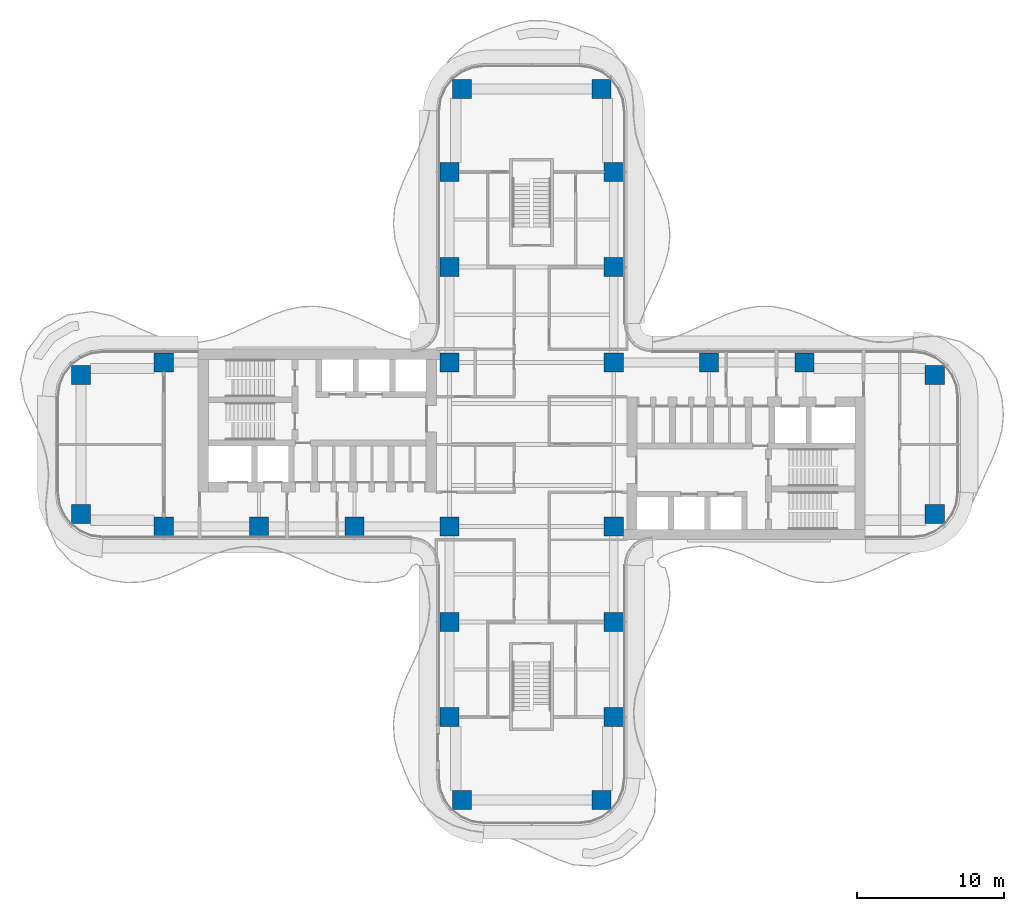
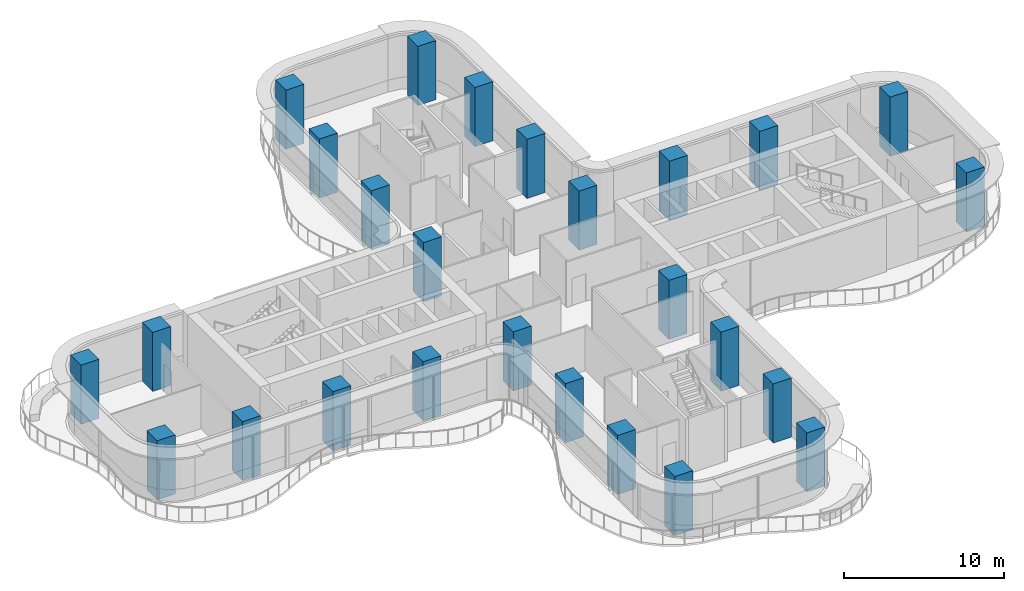
# One storey, part 1 of 21: 26 columns.
"""IFC4 building model written with IfcOpenShell, lengths in metres."""

from ifc_helpers import new_model, si_unit, direction, frame, origin, origin_2d, place, context, subcontext, project, spatial, rectangle, extrude, source, transform, mapped, material, material_profile, profile_set, type_object, element, save


model = new_model("IFC4")

# Units and contexts
model_context = context("Model", 3, precision=1e-05, world=origin(), true_north=direction((0.0, 1.0)))
body_context = subcontext(model_context, "Body", "Model", "MODEL_VIEW")
ifc_project = project(units=[si_unit("LENGTHUNIT", "METRE"), si_unit("AREAUNIT", "SQUARE_METRE"), si_unit("VOLUMEUNIT", "CUBIC_METRE"), si_unit("PLANEANGLEUNIT", "RADIAN"), si_unit("MASSUNIT", "GRAM", prefix="KILO")], contexts=[model_context])

# Site, building, storey
site_placement = place(None, origin())
site = spatial("IfcSite", under=ifc_project, at=site_placement, CompositionType="ELEMENT")
building_placement = place(site_placement, origin())
building = spatial("IfcBuilding", under=site, at=building_placement, Name="Trellis Farm Tower", CompositionType="ELEMENT")
storey_placement = place(building_placement, frame((0.0, 0.0, 147.0)))
storey = spatial("IfcBuildingStorey", under=building, at=storey_placement, Name="L31", CompositionType="ELEMENT", Elevation=147.0)

# Columns
ifc_material = material(Name="Concrete C80/95", Category="concrete")
ifc_material_profile = material_profile(ifc_material, rectangle(XDim=1.300048828125, YDim=1.300048828125, at=origin_2d()), Name="RC column 1300x1300 C80/95")
ifc_profile_set = profile_set([ifc_material_profile], Name="Concrete C80/95")
column_type = type_object("IfcColumnType", Name="RC column 1300x1300 C80/95", PredefinedType="COLUMN", material=ifc_profile_set)
shared_shape = source(origin(), body_context, "Body", "SweptSolid", [
    extrude(rectangle(XDim=1.300048828125, YDim=1.300048828125, at=origin_2d()), origin(), (0.0, 0.0, 1.0), 4.5),
])
for number, where, z_axis, x_axis, name in (
    (1, (12.10009765625, 5.60009765625, 0.0), (0.0, 0.0, 1.0), (1.0, 0.0, 0.0), "Column"),
    (2, (18.60009765625, 5.60009765625, 0.0), (0.0, 0.0, 1.0), (1.0, 0.0, 0.0), "Column"),
    (3, (27.5, 4.75, 0.0), (0.0, 0.0, 1.0), (1.0, 0.0, 0.0), "Column"),
    (4, (27.5, -4.75, 0.0), (0.0, 0.0, 1.0), (1.0, 0.0, 0.0), "Column"),
    (5, (-5.60009765625, 12.10009765625, 0.0), (0.0, 0.0, 1.0), (1.0, 0.0, 0.0), "Column"),
    (6, (-5.60009765625, 18.60009765625, 0.0), (0.0, 0.0, 1.0), (1.0, 0.0, 0.0), "Column"),
    (7, (-4.75, 24.25, 0.0), (0.0, 0.0, 1.0), (1.0, 0.0, 0.0), "Column"),
    (8, (5.60009765625, 12.10009765625, 0.0), (0.0, 0.0, 1.0), (1.0, 0.0, 0.0), "Column"),
    (9, (5.60009765625, 18.60009765625, 0.0), (0.0, 0.0, 1.0), (1.0, 0.0, 0.0), "Column"),
    (10, (4.75, 24.25, 0.0), (0.0, 0.0, 1.0), (1.0, 0.0, 0.0), "Column"),
    (11, (5.60009765625, 5.60009765625, 0.0), (0.0, 0.0, 1.0), (1.0, 0.0, 0.0), "Column"),
    (12, (-5.60009765625, 5.60009765625, 0.0), (0.0, 0.0, 1.0), (1.0, 0.0, 0.0), "Column"),
    (13, (5.60009765625, -5.60009765625, 0.0), (0.0, 0.0, 1.0), (1.0, 0.0, 0.0), "Column"),
    (14, (-5.60009765625, -5.60009765625, 0.0), (0.0, 0.0, 1.0), (1.0, 0.0, 0.0), "Column"),
    (15, (5.60009765625, -12.10009765625, 0.0), (0.0, 0.0, 1.0), (1.0, 0.0, 0.0), "Column"),
    (16, (5.60009765625, -18.60009765625, 0.0), (0.0, 0.0, 1.0), (1.0, 0.0, 0.0), "Column"),
    (17, (4.75, -24.25, 0.0), (0.0, 0.0, 1.0), (1.0, 0.0, 0.0), "Column"),
    (18, (-5.60009765625, -12.10009765625, 0.0), (0.0, 0.0, 1.0), (1.0, 0.0, 0.0), "Column"),
    (19, (-5.60009765625, -18.60009765625, 0.0), (0.0, 0.0, 1.0), (1.0, 0.0, 0.0), "Column"),
    (20, (-4.75, -24.25, 0.0), (0.0, 0.0, 1.0), (1.0, 0.0, 0.0), "Column"),
    (21, (-12.10009765625, -5.60009765625, 0.0), (0.0, 0.0, 1.0), (1.0, 0.0, 0.0), "Column"),
    (22, (-18.60009765625, -5.60009765625, 0.0), (0.0, 0.0, 1.0), (1.0, 0.0, 0.0), "Column"),
    (23, (-25.10009765625, -5.60009765625, 0.0), (0.0, 0.0, 1.0), (1.0, 0.0, 0.0), "Column"),
    (24, (-30.75, -4.75, 0.0), (0.0, 0.0, 1.0), (1.0, 0.0, 0.0), "Column"),
    (25, (-25.10009765625, 5.60009765625, 0.0), (0.0, 0.0, 1.0), (1.0, 0.0, 0.0), "Column"),
    (26, (-30.75, 4.75, 0.0), (0.0, 0.0, 1.0), (1.0, 0.0, 0.0), "Column"),
):
    element("IfcColumn", number, at=place(storey_placement, frame(where, z_axis=z_axis, x_axis=x_axis)), inside=storey, type_object=column_type, Name=name, PredefinedType="COLUMN", context=body_context, shape_type="MappedRepresentation", body=[
        mapped(shared_shape, transform((0.0, 0.0, 0.0))),
    ])

save(model, "model.ifc")
